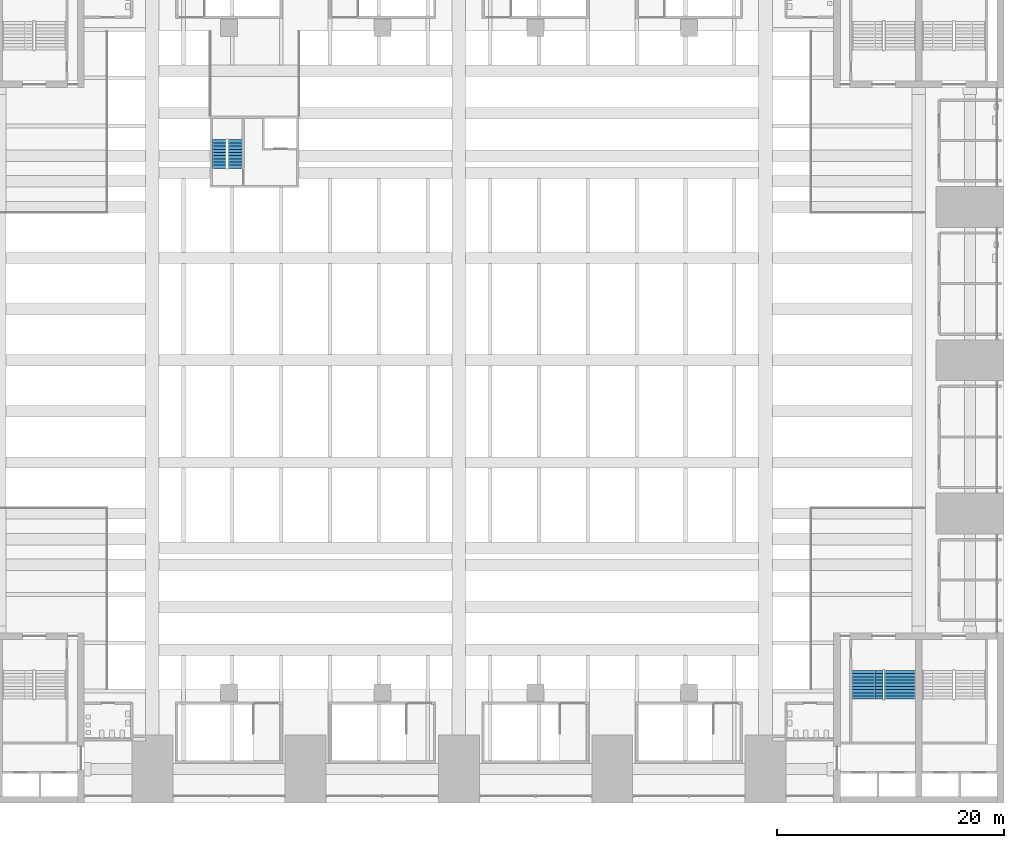
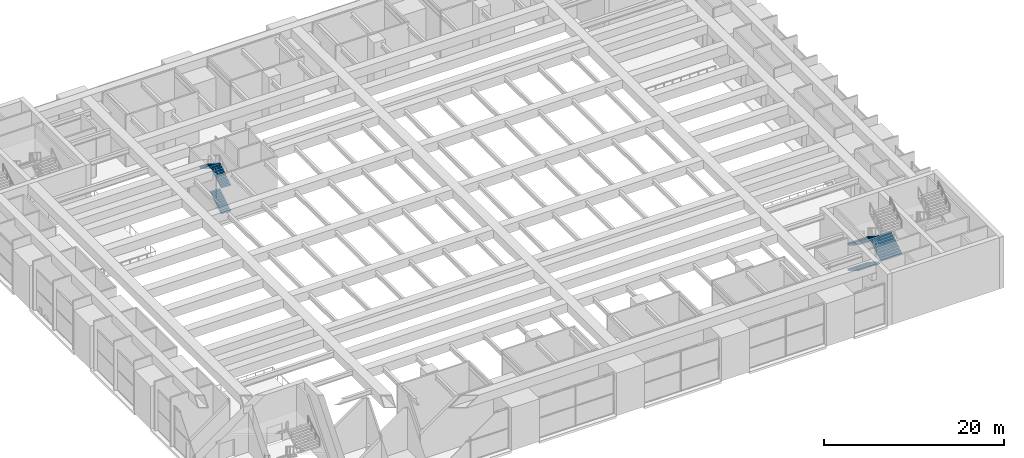
# One storey, part 34 of 45: 6 stair flights, 2 elements without a shape of their own.
"""IFC4 building model written with IfcOpenShell, lengths in metres."""

from ifc_helpers import new_model, si_unit, direction, frame, origin, place, context, subcontext, project, spatial, polyline, outline, extrude, material, type_object, element, aggregate, save


model = new_model("IFC4")

# Units and contexts
model_context = context("Model", 3, precision=1e-05, world=origin(), true_north=direction((0.0, 1.0)))
body_context = subcontext(model_context, "Body", "Model", "MODEL_VIEW")
ifc_project = project(units=[si_unit("LENGTHUNIT", "METRE"), si_unit("AREAUNIT", "SQUARE_METRE"), si_unit("VOLUMEUNIT", "CUBIC_METRE"), si_unit("PLANEANGLEUNIT", "RADIAN"), si_unit("MASSUNIT", "GRAM", prefix="KILO")], contexts=[model_context])

# Site, building, storey
site_placement = place(None, origin())
site = spatial("IfcSite", under=ifc_project, at=site_placement, CompositionType="ELEMENT")
building_placement = place(site_placement, origin())
building = spatial("IfcBuilding", under=site, at=building_placement, Name="Corbelhall Arena Tower", CompositionType="ELEMENT")
storey_placement = place(building_placement, frame((0.0, 0.0, 37.0)))
storey = spatial("IfcBuildingStorey", under=building, at=storey_placement, Name="L05", CompositionType="ELEMENT", Elevation=37.0)

# Stair, stair flights
ifc_material_1 = material(Name="Reinforced concrete C40/50", Category="concrete")
stair_type_1 = type_object("IfcStairType", Name="AR-EXIT-STAIR", PredefinedType="HALF_TURN_STAIR", material=ifc_material_1)
stair_1_placement = place(storey_placement, origin())
stair_1 = element("IfcStair", 1, at=stair_1_placement, inside=storey, type_object=stair_type_1, Name="L05 exit stair AS5", PredefinedType="HALF_TURN_STAIR")
stair_flight_type_1 = type_object("IfcStairFlightType", Name="AR-EXIT-FLIGHT", PredefinedType="STRAIGHT", material=ifc_material_1)
stair_flight_1_placement = place(storey_placement, frame((35.969970703125, -27.320068359375, 0.0), z_axis=(0.0, 0.0, 1.0), x_axis=(0.0, -1.0, 0.0)))
stair_flight_1 = element("IfcStairFlight", 2, at=stair_flight_1_placement, type_object=stair_flight_type_1, Name="AS5 flight 1", NumberOfRisers=10, NumberOfTreads=9, PredefinedType="STRAIGHT", RiserHeight=0.175, TreadLength=0.28, context=body_context, shape_type="SweptSolid", body=[
    extrude(outline(polyline([(0.0, 0.0), (0.0, 0.175048828125), (0.280029296875, 0.175048828125), (0.280029296875, 0.35009765625), (0.56005859375, 0.35009765625), (0.56005859375, 0.52490234375), (0.840087890625, 0.52490234375), (0.840087890625, 0.699951171875), (1.1201171875, 0.699951171875), (1.1201171875, 0.875), (1.39990234375, 0.875), (1.39990234375, 1.050048828125), (1.679931640625, 1.050048828125), (1.679931640625, 1.22509765625), (1.9599609375, 1.22509765625), (1.9599609375, 1.39990234375), (2.239990234375, 1.39990234375), (2.239990234375, 1.574951171875), (2.52001953125, 1.574951171875), (2.52001953125, 1.75), (2.52001953125, 1.398193359375), (0.28271484375, 0.0), (0.0, 0.0)])), frame((0.0, 1.35986328125, 0.0), z_axis=(0.0, -1.0, 0.0), x_axis=(1.0, 0.0, 0.0)), (0.0, 0.0, 1.0), 0.449951171875),
    extrude(outline(polyline([(0.0, 0.0), (0.0, 0.175048828125), (0.280029296875, 0.175048828125), (0.280029296875, 0.35009765625), (0.56005859375, 0.35009765625), (0.56005859375, 0.52490234375), (0.840087890625, 0.52490234375), (0.840087890625, 0.699951171875), (1.1201171875, 0.699951171875), (1.1201171875, 0.875), (1.39990234375, 0.875), (1.39990234375, 1.050048828125), (1.679931640625, 1.050048828125), (1.679931640625, 1.22509765625), (1.9599609375, 1.22509765625), (1.9599609375, 1.39990234375), (2.239990234375, 1.39990234375), (2.239990234375, 1.574951171875), (2.52001953125, 1.574951171875), (2.52001953125, 1.75), (2.52001953125, 1.398193359375), (0.28271484375, 0.0), (0.0, 0.0)])), frame((0.0, 0.906005859375, 0.0), z_axis=(0.0, -1.0, 0.0), x_axis=(1.0, 0.0, 0.0)), (0.0, 0.0, 1.0), 0.25537109375),
    extrude(outline(polyline([(0.0, 0.0), (0.0, 0.175048828125), (0.280029296875, 0.175048828125), (0.280029296875, 0.35009765625), (0.56005859375, 0.35009765625), (0.56005859375, 0.52490234375), (0.840087890625, 0.52490234375), (0.840087890625, 0.699951171875), (1.1201171875, 0.699951171875), (1.1201171875, 0.875), (1.39990234375, 0.875), (1.39990234375, 1.050048828125), (1.679931640625, 1.050048828125), (1.679931640625, 1.22509765625), (1.9599609375, 1.22509765625), (1.9599609375, 1.39990234375), (2.239990234375, 1.39990234375), (2.239990234375, 1.574951171875), (2.52001953125, 1.574951171875), (2.52001953125, 1.75), (2.52001953125, 1.398193359375), (0.28271484375, 0.0), (0.0, 0.0)])), frame((0.0, 0.646484375, 0.0), z_axis=(0.0, -1.0, 0.0), x_axis=(1.0, 0.0, 0.0)), (0.0, 0.0, 1.0), 0.25537109375),
    extrude(outline(polyline([(0.0, 0.0), (0.0, 0.175048828125), (0.280029296875, 0.175048828125), (0.280029296875, 0.35009765625), (0.56005859375, 0.35009765625), (0.56005859375, 0.52490234375), (0.840087890625, 0.52490234375), (0.840087890625, 0.699951171875), (1.1201171875, 0.699951171875), (1.1201171875, 0.875), (1.39990234375, 0.875), (1.39990234375, 1.050048828125), (1.679931640625, 1.050048828125), (1.679931640625, 1.22509765625), (1.9599609375, 1.22509765625), (1.9599609375, 1.39990234375), (2.239990234375, 1.39990234375), (2.239990234375, 1.574951171875), (2.52001953125, 1.574951171875), (2.52001953125, 1.75), (2.52001953125, 1.398193359375), (0.28271484375, 0.0), (0.0, 0.0)])), frame((0.0, 0.38720703125, 0.0), z_axis=(0.0, -1.0, 0.0), x_axis=(1.0, 0.0, 0.0)), (0.0, 0.0, 1.0), 0.25537109375),
    extrude(outline(polyline([(0.0, 0.0), (0.0, 0.175048828125), (0.280029296875, 0.175048828125), (0.280029296875, 0.35009765625), (0.56005859375, 0.35009765625), (0.56005859375, 0.52490234375), (0.840087890625, 0.52490234375), (0.840087890625, 0.699951171875), (1.1201171875, 0.699951171875), (1.1201171875, 0.875), (1.39990234375, 0.875), (1.39990234375, 1.050048828125), (1.679931640625, 1.050048828125), (1.679931640625, 1.22509765625), (1.9599609375, 1.22509765625), (1.9599609375, 1.39990234375), (2.239990234375, 1.39990234375), (2.239990234375, 1.574951171875), (2.52001953125, 1.574951171875), (2.52001953125, 1.75), (2.52001953125, 1.398193359375), (0.28271484375, 0.0), (0.0, 0.0)])), frame((0.0, 0.127685546875, 0.0), z_axis=(0.0, -1.0, 0.0), x_axis=(1.0, 0.0, 0.0)), (0.0, 0.0, 1.0), 0.25537109375),
    extrude(outline(polyline([(0.0, 0.0), (0.0, 0.175048828125), (0.280029296875, 0.175048828125), (0.280029296875, 0.35009765625), (0.56005859375, 0.35009765625), (0.56005859375, 0.52490234375), (0.840087890625, 0.52490234375), (0.840087890625, 0.699951171875), (1.1201171875, 0.699951171875), (1.1201171875, 0.875), (1.39990234375, 0.875), (1.39990234375, 1.050048828125), (1.679931640625, 1.050048828125), (1.679931640625, 1.22509765625), (1.9599609375, 1.22509765625), (1.9599609375, 1.39990234375), (2.239990234375, 1.39990234375), (2.239990234375, 1.574951171875), (2.52001953125, 1.574951171875), (2.52001953125, 1.75), (2.52001953125, 1.398193359375), (0.28271484375, 0.0), (0.0, 0.0)])), frame((0.0, -0.131591796875, 0.0), z_axis=(0.0, -1.0, 0.0), x_axis=(1.0, 0.0, 0.0)), (0.0, 0.0, 1.0), 0.25537109375),
    extrude(outline(polyline([(0.0, 0.0), (0.0, 0.175048828125), (0.280029296875, 0.175048828125), (0.280029296875, 0.35009765625), (0.56005859375, 0.35009765625), (0.56005859375, 0.52490234375), (0.840087890625, 0.52490234375), (0.840087890625, 0.699951171875), (1.1201171875, 0.699951171875), (1.1201171875, 0.875), (1.39990234375, 0.875), (1.39990234375, 1.050048828125), (1.679931640625, 1.050048828125), (1.679931640625, 1.22509765625), (1.9599609375, 1.22509765625), (1.9599609375, 1.39990234375), (2.239990234375, 1.39990234375), (2.239990234375, 1.574951171875), (2.52001953125, 1.574951171875), (2.52001953125, 1.75), (2.52001953125, 1.398193359375), (0.28271484375, 0.0), (0.0, 0.0)])), frame((0.0, -0.39111328125, 0.0), z_axis=(0.0, -1.0, 0.0), x_axis=(1.0, 0.0, 0.0)), (0.0, 0.0, 1.0), 0.25537109375),
    extrude(outline(polyline([(0.0, 0.0), (0.0, 0.175048828125), (0.280029296875, 0.175048828125), (0.280029296875, 0.35009765625), (0.56005859375, 0.35009765625), (0.56005859375, 0.52490234375), (0.840087890625, 0.52490234375), (0.840087890625, 0.699951171875), (1.1201171875, 0.699951171875), (1.1201171875, 0.875), (1.39990234375, 0.875), (1.39990234375, 1.050048828125), (1.679931640625, 1.050048828125), (1.679931640625, 1.22509765625), (1.9599609375, 1.22509765625), (1.9599609375, 1.39990234375), (2.239990234375, 1.39990234375), (2.239990234375, 1.574951171875), (2.52001953125, 1.574951171875), (2.52001953125, 1.75), (2.52001953125, 1.398193359375), (0.28271484375, 0.0), (0.0, 0.0)])), frame((0.0, -0.650634765625, 0.0), z_axis=(0.0, -1.0, 0.0), x_axis=(1.0, 0.0, 0.0)), (0.0, 0.0, 1.0), 0.25537109375),
    extrude(outline(polyline([(0.0, 0.0), (0.0, 0.175048828125), (0.280029296875, 0.175048828125), (0.280029296875, 0.35009765625), (0.56005859375, 0.35009765625), (0.56005859375, 0.52490234375), (0.840087890625, 0.52490234375), (0.840087890625, 0.699951171875), (1.1201171875, 0.699951171875), (1.1201171875, 0.875), (1.39990234375, 0.875), (1.39990234375, 1.050048828125), (1.679931640625, 1.050048828125), (1.679931640625, 1.22509765625), (1.9599609375, 1.22509765625), (1.9599609375, 1.39990234375), (2.239990234375, 1.39990234375), (2.239990234375, 1.574951171875), (2.52001953125, 1.574951171875), (2.52001953125, 1.75), (2.52001953125, 1.398193359375), (0.28271484375, 0.0), (0.0, 0.0)])), frame((0.0, -0.909912109375, 0.0), z_axis=(0.0, -1.0, 0.0), x_axis=(1.0, 0.0, 0.0)), (0.0, 0.0, 1.0), 0.449951171875),
])
stair_flight_2_placement = place(storey_placement, frame((38.840087890625, -29.840087890625, 1.75), z_axis=(0.0, 0.0, 1.0), x_axis=(0.0, 1.0, 0.0)))
stair_flight_2 = element("IfcStairFlight", 3, at=stair_flight_2_placement, type_object=stair_flight_type_1, Name="AS5 flight 2", NumberOfRisers=10, NumberOfTreads=9, PredefinedType="STRAIGHT", RiserHeight=0.175, TreadLength=0.28, context=body_context, shape_type="SweptSolid", body=[
    extrude(outline(polyline([(0.0, 0.0), (0.0, 0.175048828125), (0.280029296875, 0.175048828125), (0.280029296875, 0.35009765625), (0.56005859375, 0.35009765625), (0.56005859375, 0.52490234375), (0.840087890625, 0.52490234375), (0.840087890625, 0.699951171875), (1.1201171875, 0.699951171875), (1.1201171875, 0.875), (1.39990234375, 0.875), (1.39990234375, 1.050048828125), (1.679931640625, 1.050048828125), (1.679931640625, 1.22509765625), (1.9599609375, 1.22509765625), (1.9599609375, 1.39990234375), (2.239990234375, 1.39990234375), (2.239990234375, 1.574951171875), (2.52001953125, 1.574951171875), (2.52001953125, 1.75), (2.52001953125, 1.398193359375), (0.28271484375, 0.0), (0.0, 0.0)])), frame((0.0, 1.35986328125, 0.0), z_axis=(0.0, -1.0, 0.0), x_axis=(1.0, 0.0, 0.0)), (0.0, 0.0, 1.0), 0.449951171875),
    extrude(outline(polyline([(0.0, 0.0), (0.0, 0.175048828125), (0.280029296875, 0.175048828125), (0.280029296875, 0.35009765625), (0.56005859375, 0.35009765625), (0.56005859375, 0.52490234375), (0.840087890625, 0.52490234375), (0.840087890625, 0.699951171875), (1.1201171875, 0.699951171875), (1.1201171875, 0.875), (1.39990234375, 0.875), (1.39990234375, 1.050048828125), (1.679931640625, 1.050048828125), (1.679931640625, 1.22509765625), (1.9599609375, 1.22509765625), (1.9599609375, 1.39990234375), (2.239990234375, 1.39990234375), (2.239990234375, 1.574951171875), (2.52001953125, 1.574951171875), (2.52001953125, 1.75), (2.52001953125, 1.398193359375), (0.28271484375, 0.0), (0.0, 0.0)])), frame((0.0, 0.906005859375, 0.0), z_axis=(0.0, -1.0, 0.0), x_axis=(1.0, 0.0, 0.0)), (0.0, 0.0, 1.0), 0.25537109375),
    extrude(outline(polyline([(0.0, 0.0), (0.0, 0.175048828125), (0.280029296875, 0.175048828125), (0.280029296875, 0.35009765625), (0.56005859375, 0.35009765625), (0.56005859375, 0.52490234375), (0.840087890625, 0.52490234375), (0.840087890625, 0.699951171875), (1.1201171875, 0.699951171875), (1.1201171875, 0.875), (1.39990234375, 0.875), (1.39990234375, 1.050048828125), (1.679931640625, 1.050048828125), (1.679931640625, 1.22509765625), (1.9599609375, 1.22509765625), (1.9599609375, 1.39990234375), (2.239990234375, 1.39990234375), (2.239990234375, 1.574951171875), (2.52001953125, 1.574951171875), (2.52001953125, 1.75), (2.52001953125, 1.398193359375), (0.28271484375, 0.0), (0.0, 0.0)])), frame((0.0, 0.646484375, 0.0), z_axis=(0.0, -1.0, 0.0), x_axis=(1.0, 0.0, 0.0)), (0.0, 0.0, 1.0), 0.25537109375),
    extrude(outline(polyline([(0.0, 0.0), (0.0, 0.175048828125), (0.280029296875, 0.175048828125), (0.280029296875, 0.35009765625), (0.56005859375, 0.35009765625), (0.56005859375, 0.52490234375), (0.840087890625, 0.52490234375), (0.840087890625, 0.699951171875), (1.1201171875, 0.699951171875), (1.1201171875, 0.875), (1.39990234375, 0.875), (1.39990234375, 1.050048828125), (1.679931640625, 1.050048828125), (1.679931640625, 1.22509765625), (1.9599609375, 1.22509765625), (1.9599609375, 1.39990234375), (2.239990234375, 1.39990234375), (2.239990234375, 1.574951171875), (2.52001953125, 1.574951171875), (2.52001953125, 1.75), (2.52001953125, 1.398193359375), (0.28271484375, 0.0), (0.0, 0.0)])), frame((0.0, 0.38720703125, 0.0), z_axis=(0.0, -1.0, 0.0), x_axis=(1.0, 0.0, 0.0)), (0.0, 0.0, 1.0), 0.25537109375),
    extrude(outline(polyline([(0.0, 0.0), (0.0, 0.175048828125), (0.280029296875, 0.175048828125), (0.280029296875, 0.35009765625), (0.56005859375, 0.35009765625), (0.56005859375, 0.52490234375), (0.840087890625, 0.52490234375), (0.840087890625, 0.699951171875), (1.1201171875, 0.699951171875), (1.1201171875, 0.875), (1.39990234375, 0.875), (1.39990234375, 1.050048828125), (1.679931640625, 1.050048828125), (1.679931640625, 1.22509765625), (1.9599609375, 1.22509765625), (1.9599609375, 1.39990234375), (2.239990234375, 1.39990234375), (2.239990234375, 1.574951171875), (2.52001953125, 1.574951171875), (2.52001953125, 1.75), (2.52001953125, 1.398193359375), (0.28271484375, 0.0), (0.0, 0.0)])), frame((0.0, 0.127685546875, 0.0), z_axis=(0.0, -1.0, 0.0), x_axis=(1.0, 0.0, 0.0)), (0.0, 0.0, 1.0), 0.25537109375),
    extrude(outline(polyline([(0.0, 0.0), (0.0, 0.175048828125), (0.280029296875, 0.175048828125), (0.280029296875, 0.35009765625), (0.56005859375, 0.35009765625), (0.56005859375, 0.52490234375), (0.840087890625, 0.52490234375), (0.840087890625, 0.699951171875), (1.1201171875, 0.699951171875), (1.1201171875, 0.875), (1.39990234375, 0.875), (1.39990234375, 1.050048828125), (1.679931640625, 1.050048828125), (1.679931640625, 1.22509765625), (1.9599609375, 1.22509765625), (1.9599609375, 1.39990234375), (2.239990234375, 1.39990234375), (2.239990234375, 1.574951171875), (2.52001953125, 1.574951171875), (2.52001953125, 1.75), (2.52001953125, 1.398193359375), (0.28271484375, 0.0), (0.0, 0.0)])), frame((0.0, -0.131591796875, 0.0), z_axis=(0.0, -1.0, 0.0), x_axis=(1.0, 0.0, 0.0)), (0.0, 0.0, 1.0), 0.25537109375),
    extrude(outline(polyline([(0.0, 0.0), (0.0, 0.175048828125), (0.280029296875, 0.175048828125), (0.280029296875, 0.35009765625), (0.56005859375, 0.35009765625), (0.56005859375, 0.52490234375), (0.840087890625, 0.52490234375), (0.840087890625, 0.699951171875), (1.1201171875, 0.699951171875), (1.1201171875, 0.875), (1.39990234375, 0.875), (1.39990234375, 1.050048828125), (1.679931640625, 1.050048828125), (1.679931640625, 1.22509765625), (1.9599609375, 1.22509765625), (1.9599609375, 1.39990234375), (2.239990234375, 1.39990234375), (2.239990234375, 1.574951171875), (2.52001953125, 1.574951171875), (2.52001953125, 1.75), (2.52001953125, 1.398193359375), (0.28271484375, 0.0), (0.0, 0.0)])), frame((0.0, -0.39111328125, 0.0), z_axis=(0.0, -1.0, 0.0), x_axis=(1.0, 0.0, 0.0)), (0.0, 0.0, 1.0), 0.25537109375),
    extrude(outline(polyline([(0.0, 0.0), (0.0, 0.175048828125), (0.280029296875, 0.175048828125), (0.280029296875, 0.35009765625), (0.56005859375, 0.35009765625), (0.56005859375, 0.52490234375), (0.840087890625, 0.52490234375), (0.840087890625, 0.699951171875), (1.1201171875, 0.699951171875), (1.1201171875, 0.875), (1.39990234375, 0.875), (1.39990234375, 1.050048828125), (1.679931640625, 1.050048828125), (1.679931640625, 1.22509765625), (1.9599609375, 1.22509765625), (1.9599609375, 1.39990234375), (2.239990234375, 1.39990234375), (2.239990234375, 1.574951171875), (2.52001953125, 1.574951171875), (2.52001953125, 1.75), (2.52001953125, 1.398193359375), (0.28271484375, 0.0), (0.0, 0.0)])), frame((0.0, -0.650634765625, 0.0), z_axis=(0.0, -1.0, 0.0), x_axis=(1.0, 0.0, 0.0)), (0.0, 0.0, 1.0), 0.25537109375),
    extrude(outline(polyline([(0.0, 0.0), (0.0, 0.175048828125), (0.280029296875, 0.175048828125), (0.280029296875, 0.35009765625), (0.56005859375, 0.35009765625), (0.56005859375, 0.52490234375), (0.840087890625, 0.52490234375), (0.840087890625, 0.699951171875), (1.1201171875, 0.699951171875), (1.1201171875, 0.875), (1.39990234375, 0.875), (1.39990234375, 1.050048828125), (1.679931640625, 1.050048828125), (1.679931640625, 1.22509765625), (1.9599609375, 1.22509765625), (1.9599609375, 1.39990234375), (2.239990234375, 1.39990234375), (2.239990234375, 1.574951171875), (2.52001953125, 1.574951171875), (2.52001953125, 1.75), (2.52001953125, 1.398193359375), (0.28271484375, 0.0), (0.0, 0.0)])), frame((0.0, -0.909912109375, 0.0), z_axis=(0.0, -1.0, 0.0), x_axis=(1.0, 0.0, 0.0)), (0.0, 0.0, 1.0), 0.449951171875),
])
stair_flight_3_placement = place(storey_placement, frame((35.969970703125, -27.320068359375, 3.5), z_axis=(0.0, 0.0, 1.0), x_axis=(0.0, -1.0, 0.0)))
stair_flight_3 = element("IfcStairFlight", 4, at=stair_flight_3_placement, type_object=stair_flight_type_1, Name="AS5 flight 3", NumberOfRisers=10, NumberOfTreads=9, PredefinedType="STRAIGHT", RiserHeight=0.175, TreadLength=0.28, context=body_context, shape_type="SweptSolid", body=[
    extrude(outline(polyline([(0.0, 0.0), (0.0, 0.175048828125), (0.280029296875, 0.175048828125), (0.280029296875, 0.35009765625), (0.56005859375, 0.35009765625), (0.56005859375, 0.52490234375), (0.840087890625, 0.52490234375), (0.840087890625, 0.699951171875), (1.1201171875, 0.699951171875), (1.1201171875, 0.875), (1.39990234375, 0.875), (1.39990234375, 1.050048828125), (1.679931640625, 1.050048828125), (1.679931640625, 1.22509765625), (1.9599609375, 1.22509765625), (1.9599609375, 1.39990234375), (2.239990234375, 1.39990234375), (2.239990234375, 1.574951171875), (2.52001953125, 1.574951171875), (2.52001953125, 1.75), (2.52001953125, 1.398193359375), (0.28271484375, 0.0), (0.0, 0.0)])), frame((0.0, 1.35986328125, 0.0), z_axis=(0.0, -1.0, 0.0), x_axis=(1.0, 0.0, 0.0)), (0.0, 0.0, 1.0), 0.449951171875),
    extrude(outline(polyline([(0.0, 0.0), (0.0, 0.175048828125), (0.280029296875, 0.175048828125), (0.280029296875, 0.35009765625), (0.56005859375, 0.35009765625), (0.56005859375, 0.52490234375), (0.840087890625, 0.52490234375), (0.840087890625, 0.699951171875), (1.1201171875, 0.699951171875), (1.1201171875, 0.875), (1.39990234375, 0.875), (1.39990234375, 1.050048828125), (1.679931640625, 1.050048828125), (1.679931640625, 1.22509765625), (1.9599609375, 1.22509765625), (1.9599609375, 1.39990234375), (2.239990234375, 1.39990234375), (2.239990234375, 1.574951171875), (2.52001953125, 1.574951171875), (2.52001953125, 1.75), (2.52001953125, 1.398193359375), (0.28271484375, 0.0), (0.0, 0.0)])), frame((0.0, 0.906005859375, 0.0), z_axis=(0.0, -1.0, 0.0), x_axis=(1.0, 0.0, 0.0)), (0.0, 0.0, 1.0), 0.25537109375),
    extrude(outline(polyline([(0.0, 0.0), (0.0, 0.175048828125), (0.280029296875, 0.175048828125), (0.280029296875, 0.35009765625), (0.56005859375, 0.35009765625), (0.56005859375, 0.52490234375), (0.840087890625, 0.52490234375), (0.840087890625, 0.699951171875), (1.1201171875, 0.699951171875), (1.1201171875, 0.875), (1.39990234375, 0.875), (1.39990234375, 1.050048828125), (1.679931640625, 1.050048828125), (1.679931640625, 1.22509765625), (1.9599609375, 1.22509765625), (1.9599609375, 1.39990234375), (2.239990234375, 1.39990234375), (2.239990234375, 1.574951171875), (2.52001953125, 1.574951171875), (2.52001953125, 1.75), (2.52001953125, 1.398193359375), (0.28271484375, 0.0), (0.0, 0.0)])), frame((0.0, 0.646484375, 0.0), z_axis=(0.0, -1.0, 0.0), x_axis=(1.0, 0.0, 0.0)), (0.0, 0.0, 1.0), 0.25537109375),
    extrude(outline(polyline([(0.0, 0.0), (0.0, 0.175048828125), (0.280029296875, 0.175048828125), (0.280029296875, 0.35009765625), (0.56005859375, 0.35009765625), (0.56005859375, 0.52490234375), (0.840087890625, 0.52490234375), (0.840087890625, 0.699951171875), (1.1201171875, 0.699951171875), (1.1201171875, 0.875), (1.39990234375, 0.875), (1.39990234375, 1.050048828125), (1.679931640625, 1.050048828125), (1.679931640625, 1.22509765625), (1.9599609375, 1.22509765625), (1.9599609375, 1.39990234375), (2.239990234375, 1.39990234375), (2.239990234375, 1.574951171875), (2.52001953125, 1.574951171875), (2.52001953125, 1.75), (2.52001953125, 1.398193359375), (0.28271484375, 0.0), (0.0, 0.0)])), frame((0.0, 0.38720703125, 0.0), z_axis=(0.0, -1.0, 0.0), x_axis=(1.0, 0.0, 0.0)), (0.0, 0.0, 1.0), 0.25537109375),
    extrude(outline(polyline([(0.0, 0.0), (0.0, 0.175048828125), (0.280029296875, 0.175048828125), (0.280029296875, 0.35009765625), (0.56005859375, 0.35009765625), (0.56005859375, 0.52490234375), (0.840087890625, 0.52490234375), (0.840087890625, 0.699951171875), (1.1201171875, 0.699951171875), (1.1201171875, 0.875), (1.39990234375, 0.875), (1.39990234375, 1.050048828125), (1.679931640625, 1.050048828125), (1.679931640625, 1.22509765625), (1.9599609375, 1.22509765625), (1.9599609375, 1.39990234375), (2.239990234375, 1.39990234375), (2.239990234375, 1.574951171875), (2.52001953125, 1.574951171875), (2.52001953125, 1.75), (2.52001953125, 1.398193359375), (0.28271484375, 0.0), (0.0, 0.0)])), frame((0.0, 0.127685546875, 0.0), z_axis=(0.0, -1.0, 0.0), x_axis=(1.0, 0.0, 0.0)), (0.0, 0.0, 1.0), 0.25537109375),
    extrude(outline(polyline([(0.0, 0.0), (0.0, 0.175048828125), (0.280029296875, 0.175048828125), (0.280029296875, 0.35009765625), (0.56005859375, 0.35009765625), (0.56005859375, 0.52490234375), (0.840087890625, 0.52490234375), (0.840087890625, 0.699951171875), (1.1201171875, 0.699951171875), (1.1201171875, 0.875), (1.39990234375, 0.875), (1.39990234375, 1.050048828125), (1.679931640625, 1.050048828125), (1.679931640625, 1.22509765625), (1.9599609375, 1.22509765625), (1.9599609375, 1.39990234375), (2.239990234375, 1.39990234375), (2.239990234375, 1.574951171875), (2.52001953125, 1.574951171875), (2.52001953125, 1.75), (2.52001953125, 1.398193359375), (0.28271484375, 0.0), (0.0, 0.0)])), frame((0.0, -0.131591796875, 0.0), z_axis=(0.0, -1.0, 0.0), x_axis=(1.0, 0.0, 0.0)), (0.0, 0.0, 1.0), 0.25537109375),
    extrude(outline(polyline([(0.0, 0.0), (0.0, 0.175048828125), (0.280029296875, 0.175048828125), (0.280029296875, 0.35009765625), (0.56005859375, 0.35009765625), (0.56005859375, 0.52490234375), (0.840087890625, 0.52490234375), (0.840087890625, 0.699951171875), (1.1201171875, 0.699951171875), (1.1201171875, 0.875), (1.39990234375, 0.875), (1.39990234375, 1.050048828125), (1.679931640625, 1.050048828125), (1.679931640625, 1.22509765625), (1.9599609375, 1.22509765625), (1.9599609375, 1.39990234375), (2.239990234375, 1.39990234375), (2.239990234375, 1.574951171875), (2.52001953125, 1.574951171875), (2.52001953125, 1.75), (2.52001953125, 1.398193359375), (0.28271484375, 0.0), (0.0, 0.0)])), frame((0.0, -0.39111328125, 0.0), z_axis=(0.0, -1.0, 0.0), x_axis=(1.0, 0.0, 0.0)), (0.0, 0.0, 1.0), 0.25537109375),
    extrude(outline(polyline([(0.0, 0.0), (0.0, 0.175048828125), (0.280029296875, 0.175048828125), (0.280029296875, 0.35009765625), (0.56005859375, 0.35009765625), (0.56005859375, 0.52490234375), (0.840087890625, 0.52490234375), (0.840087890625, 0.699951171875), (1.1201171875, 0.699951171875), (1.1201171875, 0.875), (1.39990234375, 0.875), (1.39990234375, 1.050048828125), (1.679931640625, 1.050048828125), (1.679931640625, 1.22509765625), (1.9599609375, 1.22509765625), (1.9599609375, 1.39990234375), (2.239990234375, 1.39990234375), (2.239990234375, 1.574951171875), (2.52001953125, 1.574951171875), (2.52001953125, 1.75), (2.52001953125, 1.398193359375), (0.28271484375, 0.0), (0.0, 0.0)])), frame((0.0, -0.650634765625, 0.0), z_axis=(0.0, -1.0, 0.0), x_axis=(1.0, 0.0, 0.0)), (0.0, 0.0, 1.0), 0.25537109375),
    extrude(outline(polyline([(0.0, 0.0), (0.0, 0.175048828125), (0.280029296875, 0.175048828125), (0.280029296875, 0.35009765625), (0.56005859375, 0.35009765625), (0.56005859375, 0.52490234375), (0.840087890625, 0.52490234375), (0.840087890625, 0.699951171875), (1.1201171875, 0.699951171875), (1.1201171875, 0.875), (1.39990234375, 0.875), (1.39990234375, 1.050048828125), (1.679931640625, 1.050048828125), (1.679931640625, 1.22509765625), (1.9599609375, 1.22509765625), (1.9599609375, 1.39990234375), (2.239990234375, 1.39990234375), (2.239990234375, 1.574951171875), (2.52001953125, 1.574951171875), (2.52001953125, 1.75), (2.52001953125, 1.398193359375), (0.28271484375, 0.0), (0.0, 0.0)])), frame((0.0, -0.909912109375, 0.0), z_axis=(0.0, -1.0, 0.0), x_axis=(1.0, 0.0, 0.0)), (0.0, 0.0, 1.0), 0.449951171875),
])
aggregate(stair_1, [stair_flight_1, stair_flight_2, stair_flight_3])

ifc_material_2 = material(Name="Concrete C40/50", Category="concrete")
stair_type_2 = type_object("IfcStairType", Name="IN-ST-TOWER", PredefinedType="HALF_TURN_STAIR", material=ifc_material_2)
stair_2_placement = place(storey_placement, origin())
stair_2 = element("IfcStair", 5, at=stair_2_placement, inside=storey, type_object=stair_type_2, Name="L05 Exit stair AS17", PredefinedType="HALF_TURN_STAIR")
stair_flight_type_2 = type_object("IfcStairFlightType", Name="IN-SFL-RC", PredefinedType="STRAIGHT", material=ifc_material_2)
stair_flight_4_placement = place(storey_placement, frame((-19.695068359375, 16.89990234375, 0.0), z_axis=(0.0, 0.0, 1.0), x_axis=(0.0, 1.0, 0.0)))
stair_flight_4 = element("IfcStairFlight", 6, at=stair_flight_4_placement, type_object=stair_flight_type_2, Name="AS17 flight 1", NumberOfRisers=10, NumberOfTreads=9, PredefinedType="STRAIGHT", RiserHeight=0.175, TreadLength=0.28, context=body_context, shape_type="SweptSolid", body=[
    extrude(outline(polyline([(0.0, 0.0), (0.0, 0.175048828125), (0.280029296875, 0.175048828125), (0.280029296875, 0.35009765625), (0.56005859375, 0.35009765625), (0.56005859375, 0.52490234375), (0.840087890625, 0.52490234375), (0.840087890625, 0.699951171875), (1.1201171875, 0.699951171875), (1.1201171875, 0.875), (1.39990234375, 0.875), (1.39990234375, 1.050048828125), (1.679931640625, 1.050048828125), (1.679931640625, 1.22509765625), (1.9599609375, 1.22509765625), (1.9599609375, 1.39990234375), (2.239990234375, 1.39990234375), (2.239990234375, 1.574951171875), (2.52001953125, 1.574951171875), (2.52001953125, 1.75), (2.52001953125, 1.398193359375), (0.28271484375, 0.0), (0.0, 0.0)])), frame((0.0, 0.60009765625, 0.0), z_axis=(0.0, -1.0, 0.0), x_axis=(1.0, 0.0, 0.0)), (0.0, 0.0, 1.0), 1.199951171875),
])
stair_flight_5_placement = place(storey_placement, frame((-19.695068359375, 16.89990234375, 3.5), z_axis=(0.0, 0.0, 1.0), x_axis=(0.0, 1.0, 0.0)))
stair_flight_5 = element("IfcStairFlight", 7, at=stair_flight_5_placement, type_object=stair_flight_type_2, Name="AS17 flight 3", NumberOfRisers=10, NumberOfTreads=9, PredefinedType="STRAIGHT", RiserHeight=0.175, TreadLength=0.28, context=body_context, shape_type="SweptSolid", body=[
    extrude(outline(polyline([(0.0, 0.0), (0.0, 0.175048828125), (0.280029296875, 0.175048828125), (0.280029296875, 0.35009765625), (0.56005859375, 0.35009765625), (0.56005859375, 0.52490234375), (0.840087890625, 0.52490234375), (0.840087890625, 0.699951171875), (1.1201171875, 0.699951171875), (1.1201171875, 0.875), (1.39990234375, 0.875), (1.39990234375, 1.050048828125), (1.679931640625, 1.050048828125), (1.679931640625, 1.22509765625), (1.9599609375, 1.22509765625), (1.9599609375, 1.39990234375), (2.239990234375, 1.39990234375), (2.239990234375, 1.574951171875), (2.52001953125, 1.574951171875), (2.52001953125, 1.75), (2.52001953125, 1.398193359375), (0.28271484375, 0.0), (0.0, 0.0)])), frame((0.0, 0.60009765625, 0.0), z_axis=(0.0, -1.0, 0.0), x_axis=(1.0, 0.0, 0.0)), (0.0, 0.0, 1.0), 1.199951171875),
])
stair_flight_6_placement = place(storey_placement, frame((-21.094970703125, 19.419921875, 5.25), z_axis=(0.0, 0.0, 1.0), x_axis=(0.0, -1.0, 0.0)))
stair_flight_6 = element("IfcStairFlight", 8, at=stair_flight_6_placement, type_object=stair_flight_type_2, Name="AS17 flight 4", NumberOfRisers=10, NumberOfTreads=9, PredefinedType="STRAIGHT", RiserHeight=0.175, TreadLength=0.28, context=body_context, shape_type="SweptSolid", body=[
    extrude(outline(polyline([(0.0, 0.0), (0.0, 0.175048828125), (0.280029296875, 0.175048828125), (0.280029296875, 0.35009765625), (0.56005859375, 0.35009765625), (0.56005859375, 0.52490234375), (0.840087890625, 0.52490234375), (0.840087890625, 0.699951171875), (1.1201171875, 0.699951171875), (1.1201171875, 0.875), (1.39990234375, 0.875), (1.39990234375, 1.050048828125), (1.679931640625, 1.050048828125), (1.679931640625, 1.22509765625), (1.9599609375, 1.22509765625), (1.9599609375, 1.39990234375), (2.239990234375, 1.39990234375), (2.239990234375, 1.574951171875), (2.52001953125, 1.574951171875), (2.52001953125, 1.75), (2.52001953125, 1.398193359375), (0.28271484375, 0.0), (0.0, 0.0)])), frame((0.0, 0.60009765625, 0.0), z_axis=(0.0, -1.0, 0.0), x_axis=(1.0, 0.0, 0.0)), (0.0, 0.0, 1.0), 1.199951171875),
])
aggregate(stair_2, [stair_flight_4, stair_flight_5, stair_flight_6])

save(model, "model.ifc")
